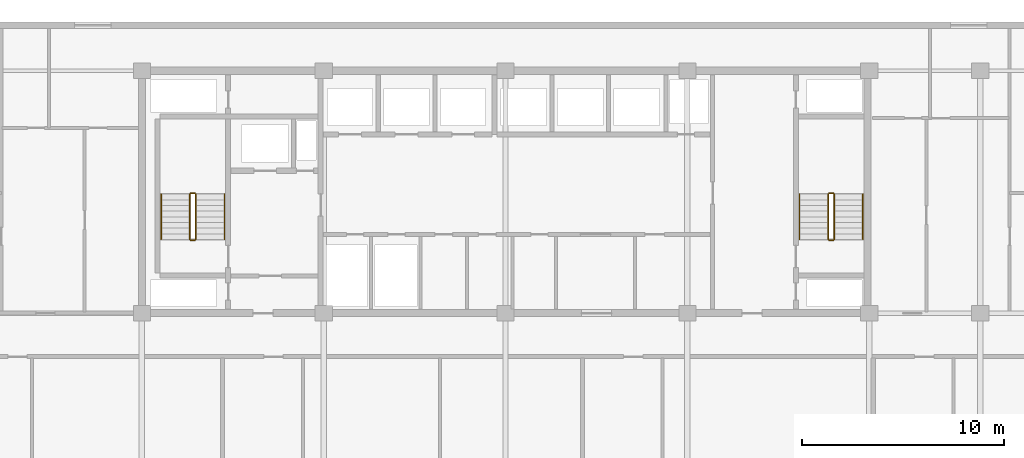
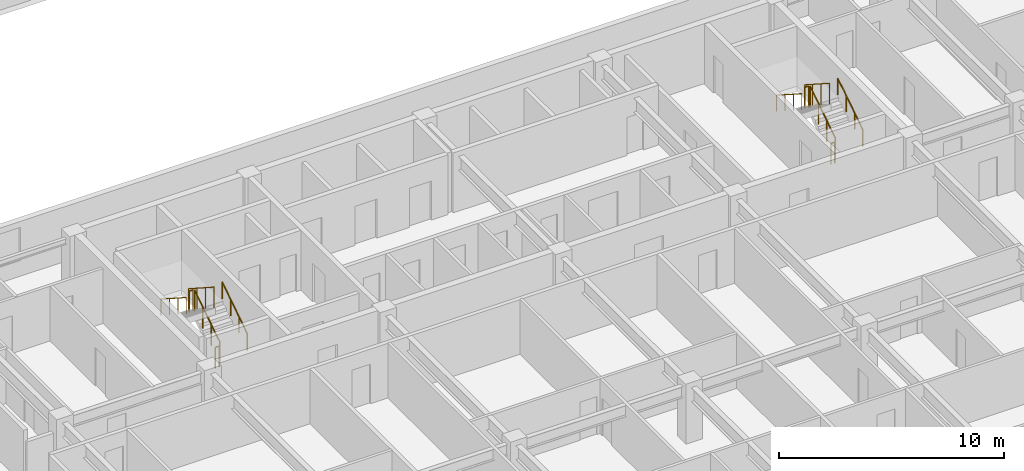
# One storey, part 19 of 22: 12 railings.
"""IFC4 building model written with IfcOpenShell, lengths in metres."""

from ifc_helpers import new_model, si_unit, direction, frame, origin, origin_2d, place, context, subcontext, project, spatial, circle, extrude, material, type_object, element, save


model = new_model("IFC4")

# Units and contexts
model_context = context("Model", 3, precision=1e-05, world=origin(), true_north=direction((0.0, 1.0)))
body_context = subcontext(model_context, "Body", "Model", "MODEL_VIEW")
ifc_project = project(units=[si_unit("LENGTHUNIT", "METRE"), si_unit("AREAUNIT", "SQUARE_METRE"), si_unit("VOLUMEUNIT", "CUBIC_METRE"), si_unit("PLANEANGLEUNIT", "RADIAN"), si_unit("MASSUNIT", "GRAM", prefix="KILO")], contexts=[model_context])

# Site, building, storey
site_placement = place(None, origin())
site = spatial("IfcSite", under=ifc_project, at=site_placement, CompositionType="ELEMENT")
building_placement = place(site_placement, origin())
building = spatial("IfcBuilding", under=site, at=building_placement, Name="Korimba Cascade Residences", CompositionType="ELEMENT")
storey_placement = place(building_placement, frame((0.0, 0.0, 87.300048828125)))
storey = spatial("IfcBuildingStorey", under=building, at=storey_placement, Name="L24", CompositionType="ELEMENT", Elevation=87.300048828125)

# Railings
ifc_material_1 = material(Name="Painted Steel Stairwell Guardrail", Category="steel")
railing_type_1 = type_object("IfcRailingType", Name="RLG-ST-GD1150", PredefinedType="GUARDRAIL", material=ifc_material_1)
railing_1_placement = place(storey_placement, frame((84.77001953125, 22.050048828125, 0.180419921875)))
element("IfcRailing", 1, at=railing_1_placement, inside=storey, type_object=railing_type_1, Name="L24 ST-E1 stair guard 1", PredefinedType="GUARDRAIL", context=body_context, shape_type="SweptSolid", body=[
    extrude(circle(Radius=0.02392578125, at=origin_2d()), frame((0.0, 0.0, 1.1259765625), z_axis=(0.0, 0.840394893359, 0.541974559565), x_axis=(-1.0, 0.0, 0.0)), (0.0, 0.0, 1.0), 2.665283203125),
    extrude(circle(Radius=0.02099609375, at=origin_2d()), origin(), (0.0, 0.0, 1.0), 1.101806640625),
    extrude(circle(Radius=0.02099609375, at=origin_2d()), frame((0.0, 0.74658203125, 0.4814453125)), (0.0, 0.0, 1.0), 1.101806640625),
    extrude(circle(Radius=0.02099609375, at=origin_2d()), frame((0.0, 1.493408203125, 0.963134765625)), (0.0, 0.0, 1.0), 1.101806640625),
    extrude(circle(Radius=0.02099609375, at=origin_2d()), frame((0.0, 2.239990234375, 1.444580078125)), (0.0, 0.0, 1.0), 1.101806640625),
])
railing_2_placement = place(storey_placement, frame((84.719970703125, 24.340087890625, 1.625)))
element("IfcRailing", 2, at=railing_2_placement, inside=storey, type_object=railing_type_1, Name="L24 ST-E1 stair guard 2", PredefinedType="GUARDRAIL", context=body_context, shape_type="SweptSolid", body=[
    extrude(circle(Radius=0.02392578125, at=origin_2d()), frame((0.0, 0.0, 1.1259765625), z_axis=(-1.0, 0.0, 0.0), x_axis=(0.0, -1.0, 0.0)), (0.0, 0.0, 1.0), 0.199951171875),
    extrude(circle(Radius=0.02099609375, at=origin_2d()), origin(), (0.0, 0.0, 1.0), 1.101806640625),
    extrude(circle(Radius=0.02099609375, at=origin_2d()), frame((-0.199951171875, 0.0, 0.0)), (0.0, 0.0, 1.0), 1.101806640625),
])
railing_3_placement = place(storey_placement, frame((84.469970703125, 24.2900390625, 1.805419921875)))
element("IfcRailing", 3, at=railing_3_placement, inside=storey, type_object=railing_type_1, Name="L24 ST-E1 stair guard 3", PredefinedType="GUARDRAIL", context=body_context, shape_type="SweptSolid", body=[
    extrude(circle(Radius=0.02392578125, at=origin_2d()), frame((0.0, 0.0, 1.1259765625), z_axis=(0.0, -0.840394893359, 0.541974559565), x_axis=(1.0, 0.0, 0.0)), (0.0, 0.0, 1.0), 2.665283203125),
    extrude(circle(Radius=0.02099609375, at=origin_2d()), origin(), (0.0, 0.0, 1.0), 1.101806640625),
    extrude(circle(Radius=0.02099609375, at=origin_2d()), frame((0.0, -0.74658203125, 0.4814453125)), (0.0, 0.0, 1.0), 1.101806640625),
    extrude(circle(Radius=0.02099609375, at=origin_2d()), frame((0.0, -1.493408203125, 0.963134765625)), (0.0, 0.0, 1.0), 1.101806640625),
    extrude(circle(Radius=0.02099609375, at=origin_2d()), frame((0.0, -2.239990234375, 1.444580078125)), (0.0, 0.0, 1.0), 1.101806640625),
])
railing_4_placement = place(storey_placement, frame((84.719970703125, 22.0, 0.0)))
element("IfcRailing", 4, at=railing_4_placement, inside=storey, type_object=railing_type_1, Name="L24 ST-E1 stair guard 4", PredefinedType="GUARDRAIL", context=body_context, shape_type="SweptSolid", body=[
    extrude(circle(Radius=0.02392578125, at=origin_2d()), frame((0.0, 0.0, 1.1259765625), z_axis=(-1.0, 0.0, 0.0), x_axis=(0.0, -1.0, 0.0)), (0.0, 0.0, 1.0), 0.199951171875),
    extrude(circle(Radius=0.02099609375, at=origin_2d()), origin(), (0.0, 0.0, 1.0), 1.101806640625),
    extrude(circle(Radius=0.02099609375, at=origin_2d()), frame((-0.199951171875, 0.0, 0.0)), (0.0, 0.0, 1.0), 1.101806640625),
])
railing_5_placement = place(storey_placement, frame((116.3701171875, 22.050048828125, 0.180419921875)))
element("IfcRailing", 5, at=railing_5_placement, inside=storey, type_object=railing_type_1, Name="L24 ST-E2 stair guard 1", PredefinedType="GUARDRAIL", context=body_context, shape_type="SweptSolid", body=[
    extrude(circle(Radius=0.02392578125, at=origin_2d()), frame((0.0, 0.0, 1.1259765625), z_axis=(0.0, 0.840394893359, 0.541974559565), x_axis=(-1.0, 0.0, 0.0)), (0.0, 0.0, 1.0), 2.665283203125),
    extrude(circle(Radius=0.02099609375, at=origin_2d()), origin(), (0.0, 0.0, 1.0), 1.101806640625),
    extrude(circle(Radius=0.02099609375, at=origin_2d()), frame((0.0, 0.74658203125, 0.4814453125)), (0.0, 0.0, 1.0), 1.101806640625),
    extrude(circle(Radius=0.02099609375, at=origin_2d()), frame((0.0, 1.493408203125, 0.963134765625)), (0.0, 0.0, 1.0), 1.101806640625),
    extrude(circle(Radius=0.02099609375, at=origin_2d()), frame((0.0, 2.239990234375, 1.444580078125)), (0.0, 0.0, 1.0), 1.101806640625),
])
railing_6_placement = place(storey_placement, frame((116.320068359375, 24.340087890625, 1.625)))
element("IfcRailing", 6, at=railing_6_placement, inside=storey, type_object=railing_type_1, Name="L24 ST-E2 stair guard 2", PredefinedType="GUARDRAIL", context=body_context, shape_type="SweptSolid", body=[
    extrude(circle(Radius=0.02392578125, at=origin_2d()), frame((0.0, 0.0, 1.1259765625), z_axis=(-1.0, 0.0, 0.0), x_axis=(0.0, -1.0, 0.0)), (0.0, 0.0, 1.0), 0.199951171875),
    extrude(circle(Radius=0.02099609375, at=origin_2d()), origin(), (0.0, 0.0, 1.0), 1.101806640625),
    extrude(circle(Radius=0.02099609375, at=origin_2d()), frame((-0.199951171875, 0.0, 0.0)), (0.0, 0.0, 1.0), 1.101806640625),
])
railing_7_placement = place(storey_placement, frame((116.070068359375, 24.2900390625, 1.805419921875)))
element("IfcRailing", 7, at=railing_7_placement, inside=storey, type_object=railing_type_1, Name="L24 ST-E2 stair guard 3", PredefinedType="GUARDRAIL", context=body_context, shape_type="SweptSolid", body=[
    extrude(circle(Radius=0.02392578125, at=origin_2d()), frame((0.0, 0.0, 1.1259765625), z_axis=(0.0, -0.840394893359, 0.541974559565), x_axis=(1.0, 0.0, 0.0)), (0.0, 0.0, 1.0), 2.665283203125),
    extrude(circle(Radius=0.02099609375, at=origin_2d()), origin(), (0.0, 0.0, 1.0), 1.101806640625),
    extrude(circle(Radius=0.02099609375, at=origin_2d()), frame((0.0, -0.74658203125, 0.4814453125)), (0.0, 0.0, 1.0), 1.101806640625),
    extrude(circle(Radius=0.02099609375, at=origin_2d()), frame((0.0, -1.493408203125, 0.963134765625)), (0.0, 0.0, 1.0), 1.101806640625),
    extrude(circle(Radius=0.02099609375, at=origin_2d()), frame((0.0, -2.239990234375, 1.444580078125)), (0.0, 0.0, 1.0), 1.101806640625),
])
railing_8_placement = place(storey_placement, frame((116.320068359375, 22.0, 0.0)))
element("IfcRailing", 8, at=railing_8_placement, inside=storey, type_object=railing_type_1, Name="L24 ST-E2 stair guard 4", PredefinedType="GUARDRAIL", context=body_context, shape_type="SweptSolid", body=[
    extrude(circle(Radius=0.02392578125, at=origin_2d()), frame((0.0, 0.0, 1.1259765625), z_axis=(-1.0, 0.0, 0.0), x_axis=(0.0, -1.0, 0.0)), (0.0, 0.0, 1.0), 0.199951171875),
    extrude(circle(Radius=0.02099609375, at=origin_2d()), origin(), (0.0, 0.0, 1.0), 1.101806640625),
    extrude(circle(Radius=0.02099609375, at=origin_2d()), frame((-0.199951171875, 0.0, 0.0)), (0.0, 0.0, 1.0), 1.101806640625),
])
ifc_material_2 = material(Name="Brushed Stainless Steel Handrail", Category="steel")
railing_type_2 = type_object("IfcRailingType", Name="RLG-ST-HR900", PredefinedType="HANDRAIL", material=ifc_material_2)
railing_9_placement = place(storey_placement, frame((86.18994140625, 22.050048828125, 0.364990234375)))
element("IfcRailing", 9, at=railing_9_placement, inside=storey, type_object=railing_type_2, Name="L24 ST-E1 stair handrail 1", PredefinedType="HANDRAIL", context=body_context, shape_type="SweptSolid", body=[
    extrude(circle(Radius=0.02392578125, at=origin_2d()), frame((0.0, 0.0, 0.8759765625), z_axis=(0.0, 0.840436612492, 0.541909863706), x_axis=(-1.0, 0.0, 0.0)), (0.0, 0.0, 1.0), 2.665283203125),
    extrude(circle(Radius=0.02099609375, at=origin_2d()), origin(), (0.0, 0.0, 1.0), 0.851806640625),
    extrude(circle(Radius=0.02099609375, at=origin_2d()), frame((0.0, 0.74658203125, 0.4814453125)), (0.0, 0.0, 1.0), 0.851806640625),
    extrude(circle(Radius=0.02099609375, at=origin_2d()), frame((0.0, 1.493408203125, 0.962890625)), (0.0, 0.0, 1.0), 0.851806640625),
    extrude(circle(Radius=0.02099609375, at=origin_2d()), frame((0.0, 2.239990234375, 1.4443359375)), (0.0, 0.0, 1.0), 0.851806640625),
])
railing_10_placement = place(storey_placement, frame((83.050048828125, 24.2900390625, 1.989990234375)))
element("IfcRailing", 10, at=railing_10_placement, inside=storey, type_object=railing_type_2, Name="L24 ST-E1 stair handrail 2", PredefinedType="HANDRAIL", context=body_context, shape_type="SweptSolid", body=[
    extrude(circle(Radius=0.02392578125, at=origin_2d()), frame((0.0, 0.0, 0.8759765625), z_axis=(0.0, -0.840436612492, 0.541909863706), x_axis=(1.0, 0.0, 0.0)), (0.0, 0.0, 1.0), 2.665283203125),
    extrude(circle(Radius=0.02099609375, at=origin_2d()), origin(), (0.0, 0.0, 1.0), 0.851806640625),
    extrude(circle(Radius=0.02099609375, at=origin_2d()), frame((0.0, -0.74658203125, 0.4814453125)), (0.0, 0.0, 1.0), 0.851806640625),
    extrude(circle(Radius=0.02099609375, at=origin_2d()), frame((0.0, -1.493408203125, 0.962890625)), (0.0, 0.0, 1.0), 0.851806640625),
    extrude(circle(Radius=0.02099609375, at=origin_2d()), frame((0.0, -2.239990234375, 1.4443359375)), (0.0, 0.0, 1.0), 0.851806640625),
])
railing_11_placement = place(storey_placement, frame((117.7900390625, 22.050048828125, 0.364990234375)))
element("IfcRailing", 11, at=railing_11_placement, inside=storey, type_object=railing_type_2, Name="L24 ST-E2 stair handrail 1", PredefinedType="HANDRAIL", context=body_context, shape_type="SweptSolid", body=[
    extrude(circle(Radius=0.02392578125, at=origin_2d()), frame((0.0, 0.0, 0.8759765625), z_axis=(0.0, 0.840436612492, 0.541909863706), x_axis=(-1.0, 0.0, 0.0)), (0.0, 0.0, 1.0), 2.665283203125),
    extrude(circle(Radius=0.02099609375, at=origin_2d()), origin(), (0.0, 0.0, 1.0), 0.851806640625),
    extrude(circle(Radius=0.02099609375, at=origin_2d()), frame((0.0, 0.74658203125, 0.4814453125)), (0.0, 0.0, 1.0), 0.851806640625),
    extrude(circle(Radius=0.02099609375, at=origin_2d()), frame((0.0, 1.493408203125, 0.962890625)), (0.0, 0.0, 1.0), 0.851806640625),
    extrude(circle(Radius=0.02099609375, at=origin_2d()), frame((0.0, 2.239990234375, 1.4443359375)), (0.0, 0.0, 1.0), 0.851806640625),
])
railing_12_placement = place(storey_placement, frame((114.64990234375, 24.2900390625, 1.989990234375)))
element("IfcRailing", 12, at=railing_12_placement, inside=storey, type_object=railing_type_2, Name="L24 ST-E2 stair handrail 2", PredefinedType="HANDRAIL", context=body_context, shape_type="SweptSolid", body=[
    extrude(circle(Radius=0.02392578125, at=origin_2d()), frame((0.0, 0.0, 0.8759765625), z_axis=(0.0, -0.840436612492, 0.541909863706), x_axis=(1.0, 0.0, 0.0)), (0.0, 0.0, 1.0), 2.665283203125),
    extrude(circle(Radius=0.02099609375, at=origin_2d()), origin(), (0.0, 0.0, 1.0), 0.851806640625),
    extrude(circle(Radius=0.02099609375, at=origin_2d()), frame((0.0, -0.74658203125, 0.4814453125)), (0.0, 0.0, 1.0), 0.851806640625),
    extrude(circle(Radius=0.02099609375, at=origin_2d()), frame((0.0, -1.493408203125, 0.962890625)), (0.0, 0.0, 1.0), 0.851806640625),
    extrude(circle(Radius=0.02099609375, at=origin_2d()), frame((0.0, -2.239990234375, 1.4443359375)), (0.0, 0.0, 1.0), 0.851806640625),
])

save(model, "model.ifc")
